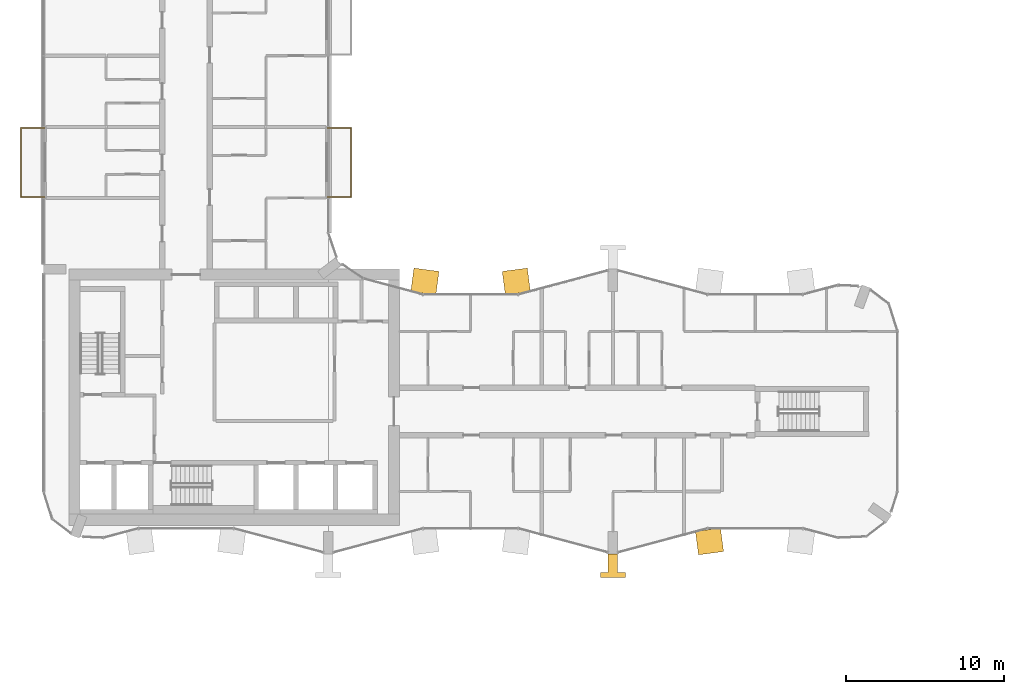
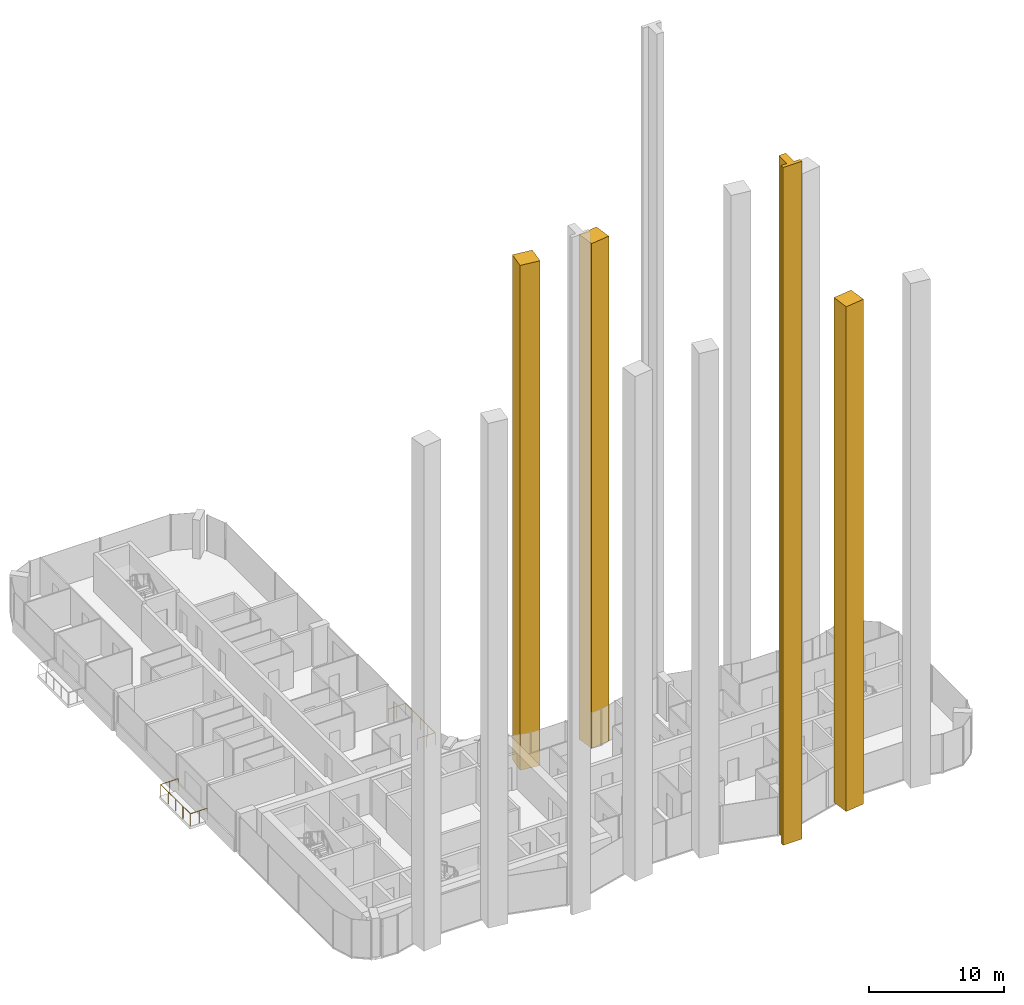
# One storey, part 23 of 27: 4 coverings, 2 railings.
"""IFC4 building model written with IfcOpenShell, lengths in metres."""

from ifc_helpers import new_model, si_unit, direction, frame, origin, origin_2d, place, context, subcontext, project, spatial, polyline, circle, outline, extrude, material, type_object, element, save


model = new_model("IFC4")

# Units and contexts
model_context = context("Model", 3, precision=1e-05, world=origin(), true_north=direction((0.0, 1.0)))
body_context = subcontext(model_context, "Body", "Model", "MODEL_VIEW")
ifc_project = project(units=[si_unit("LENGTHUNIT", "METRE"), si_unit("AREAUNIT", "SQUARE_METRE"), si_unit("VOLUMEUNIT", "CUBIC_METRE"), si_unit("PLANEANGLEUNIT", "RADIAN"), si_unit("MASSUNIT", "GRAM", prefix="KILO")], contexts=[model_context])

# Site, building, storey
site_placement = place(None, origin())
site = spatial("IfcSite", under=ifc_project, at=site_placement, CompositionType="ELEMENT")
building_placement = place(site_placement, origin())
building = spatial("IfcBuilding", under=site, at=building_placement, Name="Plateau Cross Towers", CompositionType="ELEMENT")
storey_placement = place(building_placement, frame((0.0, 0.0, 78.300048828125)))
storey = spatial("IfcBuildingStorey", under=building, at=storey_placement, Name="L19", CompositionType="ELEMENT", Elevation=78.300048828125)

# Coverings
ifc_material_1 = material(Name="Light precast concrete cladding C40/50", Category="concrete")
covering_type_1 = type_object("IfcCoveringType", Name="Flute pier cladding 1600x1500", PredefinedType="CLADDING", material=ifc_material_1)
covering_1_placement = place(storey_placement, origin())
element("IfcCovering", 1, at=covering_1_placement, inside=storey, type_object=covering_type_1, Name="Flute pier", PredefinedType="CLADDING", context=body_context, shape_type="SweptSolid", body=[
    extrude(outline(polyline([(30.7822265625, 16.580322265625), (29.19580078125, 16.37158203125), (29.000244140625, 17.85888671875), (30.58642578125, 18.067626953125), (30.7822265625, 16.580322265625)])), origin(), (0.0, 0.0, 1.0), 45.5),
])
covering_2_placement = place(storey_placement, origin())
element("IfcCovering", 2, at=covering_2_placement, inside=storey, type_object=covering_type_1, Name="Flute pier", PredefinedType="CLADDING", context=body_context, shape_type="SweptSolid", body=[
    extrude(outline(polyline([(24.80419921875, 16.37158203125), (23.2177734375, 16.580322265625), (23.41357421875, 18.067626953125), (24.999755859375, 17.85888671875), (24.80419921875, 16.37158203125)])), origin(), (0.0, 0.0, 1.0), 45.5),
])
covering_3_placement = place(storey_placement, origin())
element("IfcCovering", 3, at=covering_3_placement, inside=storey, type_object=covering_type_1, Name="Flute pier", PredefinedType="CLADDING", context=body_context, shape_type="SweptSolid", body=[
    extrude(outline(polyline([(41.2177734375, 1.419677734375), (42.80419921875, 1.62841796875), (42.999755859375, 0.14111328125), (41.41357421875, -0.067626953125), (41.2177734375, 1.419677734375)])), origin(), (0.0, 0.0, 1.0), 45.5),
])

# Railings
ifc_material_2 = material(Name="Stainless steel and toughened glass", Category="steel")
railing_type = type_object("IfcRailingType", Name="Glass balustrade guard 1100", PredefinedType="GUARDRAIL", material=ifc_material_2)
railing_1_placement = place(storey_placement, frame((0.050048828125, 22.570068359375, 0.0)))
element("IfcRailing", 4, at=railing_1_placement, inside=storey, type_object=railing_type, Name="Guard guard1", PredefinedType="GUARDRAIL", context=body_context, shape_type="SweptSolid", body=[
    extrude(circle(Radius=0.02392578125, at=origin_2d()), frame((0.0, 0.0, 1.076171875), z_axis=(-1.0, 0.0, 0.0), x_axis=(0.0, -1.0, 0.0)), (0.0, 0.0, 1.0), 1.47998046875),
    extrude(circle(Radius=0.02392578125, at=origin_2d()), frame((-1.47998046875, 0.0, 1.076171875), z_axis=(0.0, 1.0, 0.0), x_axis=(-1.0, 0.0, 0.0)), (0.0, 0.0, 1.0), 4.35986328125),
    extrude(circle(Radius=0.02392578125, at=origin_2d()), frame((-1.47998046875, 4.35986328125, 1.076171875), z_axis=(1.0, 0.0, 0.0), x_axis=(0.0, 1.0, 0.0)), (0.0, 0.0, 1.0), 1.47998046875),
    extrude(circle(Radius=0.02099609375, at=origin_2d()), origin(), (0.0, 0.0, 1.0), 1.052001953125),
    extrude(circle(Radius=0.02099609375, at=origin_2d()), frame((-0.739990234375, 0.0, 0.0)), (0.0, 0.0, 1.0), 1.052001953125),
    extrude(circle(Radius=0.02099609375, at=origin_2d()), frame((-1.47998046875, 0.0, 0.0)), (0.0, 0.0, 1.0), 1.052001953125),
    extrude(circle(Radius=0.02099609375, at=origin_2d()), frame((-1.47998046875, 1.08984375, 0.0)), (0.0, 0.0, 1.0), 1.052001953125),
    extrude(circle(Radius=0.02099609375, at=origin_2d()), frame((-1.47998046875, 2.179931640625, 0.0)), (0.0, 0.0, 1.0), 1.052001953125),
    extrude(circle(Radius=0.02099609375, at=origin_2d()), frame((-1.47998046875, 3.27001953125, 0.0)), (0.0, 0.0, 1.0), 1.052001953125),
    extrude(circle(Radius=0.02099609375, at=origin_2d()), frame((-1.47998046875, 4.35986328125, 0.0)), (0.0, 0.0, 1.0), 1.052001953125),
    extrude(circle(Radius=0.02099609375, at=origin_2d()), frame((-0.739990234375, 4.35986328125, 0.0)), (0.0, 0.0, 1.0), 1.052001953125),
    extrude(circle(Radius=0.02099609375, at=origin_2d()), frame((0.0, 4.35986328125, 0.0)), (0.0, 0.0, 1.0), 1.052001953125),
])
railing_2_placement = place(storey_placement, frame((17.949951171875, 26.929931640625, 0.0)))
element("IfcRailing", 5, at=railing_2_placement, inside=storey, type_object=railing_type, Name="Guard guard1", PredefinedType="GUARDRAIL", context=body_context, shape_type="SweptSolid", body=[
    extrude(circle(Radius=0.02392578125, at=origin_2d()), frame((0.0, 0.0, 1.076171875), z_axis=(1.0, 0.0, 0.0), x_axis=(0.0, 1.0, 0.0)), (0.0, 0.0, 1.0), 1.47998046875),
    extrude(circle(Radius=0.02392578125, at=origin_2d()), frame((1.47998046875, 0.0, 1.076171875), z_axis=(0.0, -1.0, 0.0), x_axis=(1.0, 0.0, 0.0)), (0.0, 0.0, 1.0), 4.35986328125),
    extrude(circle(Radius=0.02392578125, at=origin_2d()), frame((1.47998046875, -4.35986328125, 1.076171875), z_axis=(-1.0, 0.0, 0.0), x_axis=(0.0, -1.0, 0.0)), (0.0, 0.0, 1.0), 1.47998046875),
    extrude(circle(Radius=0.02099609375, at=origin_2d()), origin(), (0.0, 0.0, 1.0), 1.052001953125),
    extrude(circle(Radius=0.02099609375, at=origin_2d()), frame((0.739990234375, 0.0, 0.0)), (0.0, 0.0, 1.0), 1.052001953125),
    extrude(circle(Radius=0.02099609375, at=origin_2d()), frame((1.47998046875, 0.0, 0.0)), (0.0, 0.0, 1.0), 1.052001953125),
    extrude(circle(Radius=0.02099609375, at=origin_2d()), frame((1.47998046875, -1.08984375, 0.0)), (0.0, 0.0, 1.0), 1.052001953125),
    extrude(circle(Radius=0.02099609375, at=origin_2d()), frame((1.47998046875, -2.179931640625, 0.0)), (0.0, 0.0, 1.0), 1.052001953125),
    extrude(circle(Radius=0.02099609375, at=origin_2d()), frame((1.47998046875, -3.27001953125, 0.0)), (0.0, 0.0, 1.0), 1.052001953125),
    extrude(circle(Radius=0.02099609375, at=origin_2d()), frame((1.47998046875, -4.35986328125, 0.0)), (0.0, 0.0, 1.0), 1.052001953125),
    extrude(circle(Radius=0.02099609375, at=origin_2d()), frame((0.739990234375, -4.35986328125, 0.0)), (0.0, 0.0, 1.0), 1.052001953125),
    extrude(circle(Radius=0.02099609375, at=origin_2d()), frame((0.0, -4.35986328125, 0.0)), (0.0, 0.0, 1.0), 1.052001953125),
])

# Covering
covering_type_2 = type_object("IfcCoveringType", Name="Pier fin cladding 1600x1500", PredefinedType="CLADDING", material=ifc_material_1)
covering_4_placement = place(storey_placement, origin())
element("IfcCovering", 6, at=covering_4_placement, inside=storey, type_object=covering_type_2, Name="Pier fin PR2", PredefinedType="CLADDING", context=body_context, shape_type="SweptSolid", body=[
    extrude(outline(polyline([(35.699951171875, 0.0), (36.300048828125, 0.0), (36.300048828125, -1.199951171875), (36.800048828125, -1.199951171875), (36.800048828125, -1.5), (35.199951171875, -1.5), (35.199951171875, -1.199951171875), (35.699951171875, -1.199951171875), (35.699951171875, 0.0)])), origin(), (0.0, 0.0, 1.0), 61.099853515625),
])

save(model, "model.ifc")
